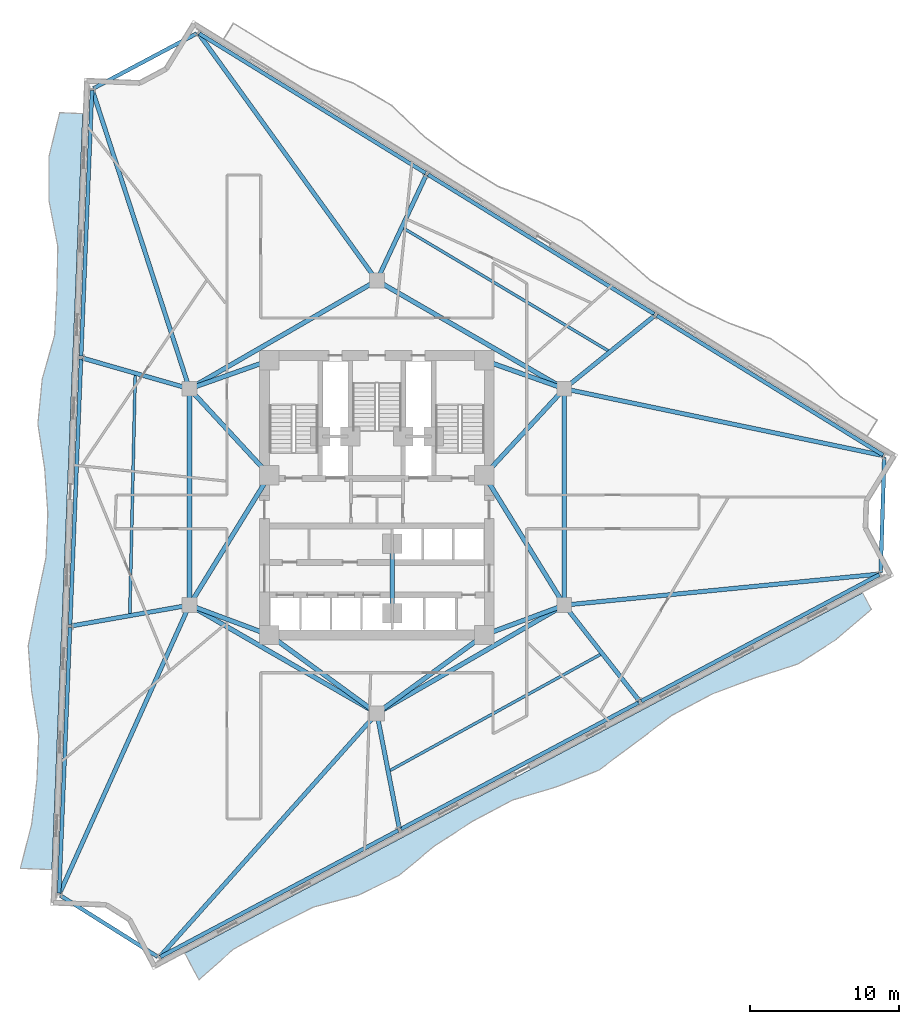
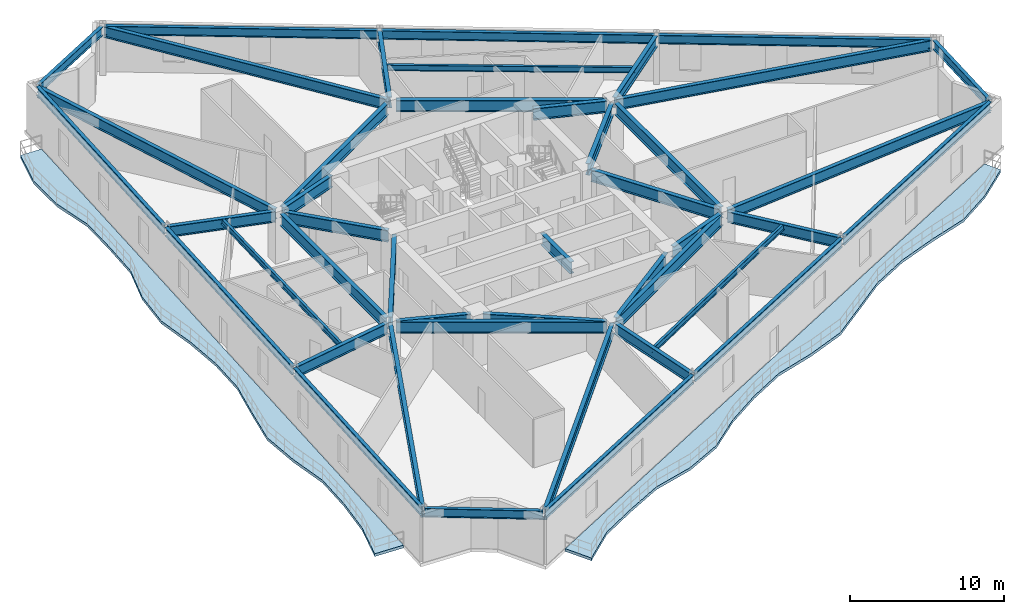
# One storey, part 3 of 12: 44 beams, 2 slabs.
"""IFC4 building model written with IfcOpenShell, lengths in metres."""

import ifcopenshell
import ifcopenshell.guid

model = None  # the IFC model being written
_history = None  # IfcOwnerHistory: only IFC2X3 demands one
_inside = {}  # id of a spatial element -> (the spatial element, [elements in it])
_under = {}  # id of a project, library or spatial element -> (it, [spatial elements below it])
_declared = {}  # id of a project -> (the project, [libraries it declares])
_typed = {}  # id of a type object -> (the type object, [elements of that type])
_made_of = {}  # id of a material, layer set ... -> (it, [elements and type objects made of it])


def new_model(schema):
    """Start an empty IFC model of exactly this schema.

    Asked for "IFC4X3", IfcOpenShell would pick the latest addendum, in which some entities
    have other attributes; the version numbers below select the first issue.
    IFC2X3 requires an IfcOwnerHistory on every rooted entity: one is made here for all.
    """
    global model, _history
    if schema == "IFC4X3":
        model = ifcopenshell.file(schema_version=(4, 3, 0, 0))
    else:
        model = ifcopenshell.file(schema=schema)
    _inside.clear()
    _under.clear()
    _declared.clear()
    _typed.clear()
    _made_of.clear()
    _history = None
    if model.schema == "IFC2X3":
        org = make("IfcOrganization", Name="unknown")
        user = make(
            "IfcPersonAndOrganization",
            ThePerson=make("IfcPerson", FamilyName="unknown"),
            TheOrganization=org,
        )
        app = make(
            "IfcApplication",
            ApplicationDeveloper=org,
            Version="unknown",
            ApplicationFullName="unknown",
            ApplicationIdentifier="unknown",
        )
        _history = make(
            "IfcOwnerHistory",
            OwningUser=user,
            OwningApplication=app,
            ChangeAction="ADDED",
            CreationDate=0,
        )
    return model


def make(cls, **values):
    """One entity of the class cls with the attributes given. An attribute that is None is left unset."""
    return model.create_entity(
        cls, **{name: value for name, value in values.items() if value is not None}
    )


def rooted(cls, **values):
    """An entity with a GlobalId (a new one), such as an element, a storey or a relation."""
    return make(cls, GlobalId=ifcopenshell.guid.new(), OwnerHistory=_history, **values)


def si_unit(unit_type, name, prefix=None):
    """IfcSIUnit, for example si_unit("LENGTHUNIT", "METRE", prefix="MILLI")."""
    return make("IfcSIUnit", UnitType=unit_type, Prefix=prefix, Name=name)


def assignment(units):
    """IfcUnitAssignment: the units of a project."""
    return None if units is None else make("IfcUnitAssignment", Units=units)


def point(xyz):
    """IfcCartesianPoint."""
    return None if xyz is None else make("IfcCartesianPoint", Coordinates=xyz)


def direction(xyz):
    """IfcDirection."""
    return None if xyz is None else make("IfcDirection", DirectionRatios=xyz)


def frame(location, z_axis=None, x_axis=None):
    """IfcAxis2Placement3D, a coordinate frame: its origin and axes. An axis left out is left unset."""
    return make(
        "IfcAxis2Placement3D",
        Location=point(location),
        Axis=direction(z_axis),
        RefDirection=direction(x_axis),
    )


def frame_2d(location, x_axis=None):
    """IfcAxis2Placement2D, a coordinate frame in the plane: its origin and x axis."""
    return make(
        "IfcAxis2Placement2D", Location=point(location), RefDirection=direction(x_axis)
    )


def origin():
    """The frame at (0, 0, 0) with its axes left unset."""
    return frame((0.0, 0.0, 0.0))


def origin_2d():
    """The frame at (0, 0) in the plane with its x axis left unset."""
    return frame_2d((0.0, 0.0))


def place(relative_to, where):
    """IfcLocalPlacement: puts the frame where relative to a parent placement (None: the world)."""
    return make(
        "IfcLocalPlacement", PlacementRelTo=relative_to, RelativePlacement=where
    )


def context(
    kind, dimensions, precision=None, world=None, true_north=None, identifier=None
):
    """IfcGeometricRepresentationContext, for example the 3D "Model" context."""
    return make(
        "IfcGeometricRepresentationContext",
        ContextIdentifier=identifier,
        ContextType=kind,
        CoordinateSpaceDimension=dimensions,
        Precision=precision,
        WorldCoordinateSystem=world,
        TrueNorth=true_north,
    )


def subcontext(parent, identifier, kind, view, scale=None):
    """IfcGeometricRepresentationSubContext, for example "Body" below "Model"."""
    return make(
        "IfcGeometricRepresentationSubContext",
        ContextIdentifier=identifier,
        ContextType=kind,
        ParentContext=parent,
        TargetScale=scale,
        TargetView=view,
    )


def project(units=None, contexts=None):
    """IfcProject with its units and contexts."""
    return rooted(
        "IfcProject",
        Name="project",
        RepresentationContexts=contexts,
        UnitsInContext=assignment(units),
    )


def spatial(cls, under=None, at=None, **own):
    """A site, building, storey or space (cls), placed at a placement, below another one or the project."""
    s = rooted(cls, ObjectPlacement=at, **own)
    if under is not None:
        _under.setdefault(under.id(), (under, []))[1].append(s)
    return s


def polyline(points):
    """IfcPolyline through the points."""
    return make("IfcPolyline", Points=[point(p) for p in points])


def profile(cls, at=None, kind="AREA", **sizes):
    """A parametric profile (cls). Its sizes go by their IFC names, for example OverallWidth=200.0."""
    return make(cls, ProfileType=kind, Position=at, **sizes)


def i_section(**sizes):
    """IfcIShapeProfileDef."""
    return profile("IfcIShapeProfileDef", **sizes)


def outline(outer, holes=None, kind="AREA"):
    """IfcArbitraryClosedProfileDef: a profile drawn as a closed curve; with holes, ...WithVoids."""
    if holes is None:
        return make("IfcArbitraryClosedProfileDef", ProfileType=kind, OuterCurve=outer)
    return make(
        "IfcArbitraryProfileDefWithVoids",
        ProfileType=kind,
        OuterCurve=outer,
        InnerCurves=holes,
    )


def extrude(swept, where, along, depth):
    """IfcExtrudedAreaSolid: the profile swept, set in the frame where, extruded along a direction by depth."""
    return make(
        "IfcExtrudedAreaSolid",
        SweptArea=swept,
        Position=where,
        ExtrudedDirection=direction(along),
        Depth=depth,
    )


def shape(context_of_items, identifier, shape_type, items):
    """IfcShapeRepresentation: the items that make up one representation, for example the "Body"."""
    return make(
        "IfcShapeRepresentation",
        ContextOfItems=context_of_items,
        RepresentationIdentifier=identifier,
        RepresentationType=shape_type,
        Items=items,
    )


def material(Name=None, Category=None):
    """IfcMaterial."""
    return make("IfcMaterial", Name=Name, Category=Category)


def layer(
    of_material, thickness, ventilated=None, Name=None, Category=None, Priority=None
):
    """IfcMaterialLayer: one layer of a wall or slab, of a material (None: an air gap)."""
    return make(
        "IfcMaterialLayer",
        Material=of_material,
        LayerThickness=thickness,
        IsVentilated=ventilated,
        Name=Name,
        Category=Category,
        Priority=Priority,
    )


def layer_set(layers, Name=None):
    """IfcMaterialLayerSet."""
    return make("IfcMaterialLayerSet", MaterialLayers=layers, LayerSetName=Name)


def material_profile(
    of_material, cross_section, Name=None, Category=None, Priority=None
):
    """IfcMaterialProfile: a cross section and its material."""
    return make(
        "IfcMaterialProfile",
        Name=Name,
        Material=of_material,
        Profile=cross_section,
        Priority=Priority,
        Category=Category,
    )


def profile_set(profiles, Name=None, composite=None):
    """IfcMaterialProfileSet."""
    return make(
        "IfcMaterialProfileSet",
        Name=Name,
        MaterialProfiles=profiles,
        CompositeProfile=composite,
    )


def made_of(thing, what):
    """Note that an element or type object is made of a material, layer set ...; save() writes the relation."""
    if what is not None:
        _made_of.setdefault(what.id(), (what, []))[1].append(thing)
    return thing


def type_object(cls, material=None, **own):
    """A type object (cls), such as IfcWallType, which elements share."""
    return made_of(rooted(cls, **own), material)


def element(
    cls,
    number,
    at=None,
    inside=None,
    cuts=None,
    type_object=None,
    material=None,
    context=None,
    identifier="Body",
    shape_type=None,
    held_by="IfcProductDefinitionShape",
    body=None,
    shapes=None,
    **own,
):
    """One element of the class cls, such as IfcWall. Its Tag is "e" and its number.

    at: its placement. inside: the storey or other place that contains it. cuts: it is an
    opening in that element (IfcRelVoidsElement). A single representation is given by context,
    identifier, shape_type and body (its items); several are given by shapes. held_by: the class
    of the entity that holds the representations. save() writes the other relations.
    """
    e = rooted(cls, Tag="e%d" % number, ObjectPlacement=at, **own)
    if body is not None:
        shapes = [shape(context, identifier, shape_type, body)]
    if shapes is not None:
        e.Representation = make(held_by, Representations=shapes)
    if inside is not None:
        _inside.setdefault(inside.id(), (inside, []))[1].append(e)
    if cuts is not None:
        rooted(
            "IfcRelVoidsElement", RelatingBuildingElement=cuts, RelatedOpeningElement=e
        )
    if type_object is not None:
        _typed.setdefault(type_object.id(), (type_object, []))[1].append(e)
    return made_of(e, material)


def aggregate(whole, parts):
    """IfcRelAggregates: a whole, such as a stair, and the parts it consists of."""
    return rooted("IfcRelAggregates", RelatingObject=whole, RelatedObjects=parts)


def save(model, path):
    """Write the relations noted so far, then the file.

    IfcRelAggregates (storeys below a building ...), IfcRelContainedInSpatialStructure (elements
    in a storey), IfcRelDefinesByType, IfcRelAssociatesMaterial and IfcRelDeclares: one each for
    every whole, place, type object, material and project.
    """
    for whole, parts in _under.values():
        aggregate(whole, parts)
    for where, things in _inside.values():
        rooted(
            "IfcRelContainedInSpatialStructure",
            RelatedElements=things,
            RelatingStructure=where,
        )
    for kind, things in _typed.values():
        rooted("IfcRelDefinesByType", RelatedObjects=things, RelatingType=kind)
    for what, things in _made_of.values():
        rooted("IfcRelAssociatesMaterial", RelatedObjects=things, RelatingMaterial=what)
    for by, libraries in _declared.values():
        rooted("IfcRelDeclares", RelatingContext=by, RelatedDefinitions=libraries)
    model.write(path)


model = new_model("IFC4")

# Units and contexts
model_context = context("Model", 3, precision=1e-05, world=origin(), true_north=direction((0.0, 1.0)))
body_context = subcontext(model_context, "Body", "Model", "MODEL_VIEW")
ifc_project = project(units=[si_unit("LENGTHUNIT", "METRE"), si_unit("AREAUNIT", "SQUARE_METRE"), si_unit("VOLUMEUNIT", "CUBIC_METRE"), si_unit("PLANEANGLEUNIT", "RADIAN"), si_unit("MASSUNIT", "GRAM", prefix="KILO")], contexts=[model_context])

# Site, building, storey
site_placement = place(None, origin())
site = spatial("IfcSite", under=ifc_project, at=site_placement, CompositionType="ELEMENT")
building_placement = place(site_placement, origin())
building = spatial("IfcBuilding", under=site, at=building_placement, Name="Apsidion Concourse Tower", CompositionType="ELEMENT")
storey_placement = place(building_placement, frame((0.0, 0.0, 173.699951171875)))
storey = spatial("IfcBuildingStorey", under=building, at=storey_placement, Name="L40", CompositionType="ELEMENT", Elevation=173.699951171875)

# Beams
ifc_material_1 = material(Name="Structural steel ASTM A992 Grade 50", Category="steel")
ifc_material_profile_1 = material_profile(ifc_material_1, i_section(OverallWidth=0.19091796875, OverallDepth=0.45703125, WebThickness=0.009033203125, FlangeThickness=0.014404296875, at=origin_2d()), Name="W18X50")
ifc_profile_set_1 = profile_set([ifc_material_profile_1], Name="Structural steel ASTM A992 Grade 50")
beam_type_1 = type_object("IfcBeamType", Name="BM-FL-W18", PredefinedType="BEAM", material=ifc_profile_set_1)
beam_1_placement = place(storey_placement, frame((-16.192138671875, 8.29248046875, 3.62158203125), z_axis=(-0.022697860677, -0.999742370374, 0.0), x_axis=(0.999742370374, -0.022697860677, 0.0)))
element("IfcBeam", 1, at=beam_1_placement, inside=storey, type_object=beam_type_1, Name="L40 Secondary Floor Beam SEC-F1", PredefinedType="BEAM", context=body_context, shape_type="SweptSolid", body=[
    extrude(i_section(OverallWidth=0.19091796875, OverallDepth=0.45703125, WebThickness=0.009033203125, FlangeThickness=0.014404296875, at=origin_2d()), origin(), (0.0, 0.0, 1.0), 16.25244140625),
])
beam_2_placement = place(storey_placement, frame((0.760009765625, -18.40087890625, 3.62158203125), z_axis=(0.87560616621, 0.483025715355, 0.0), x_axis=(-0.483025715355, 0.87560616621, 0.0)))
element("IfcBeam", 2, at=beam_2_placement, inside=storey, type_object=beam_type_1, Name="L40 Secondary Floor Beam SEC-F2", PredefinedType="BEAM", context=body_context, shape_type="SweptSolid", body=[
    extrude(i_section(OverallWidth=0.19091796875, OverallDepth=0.45703125, WebThickness=0.009033203125, FlangeThickness=0.014404296875, at=origin_2d()), origin(), (0.0, 0.0, 1.0), 16.376708984375),
])
beam_3_placement = place(storey_placement, frame((15.619384765625, 9.7265625, 3.62158203125), z_axis=(-0.85795243344, 0.513729132865, 0.0), x_axis=(-0.513729132865, -0.85795243344, 0.0)))
element("IfcBeam", 3, at=beam_3_placement, inside=storey, type_object=beam_type_1, Name="L40 Secondary Floor Beam SEC-F3", PredefinedType="BEAM", context=body_context, shape_type="SweptSolid", body=[
    extrude(i_section(OverallWidth=0.19091796875, OverallDepth=0.45703125, WebThickness=0.009033203125, FlangeThickness=0.014404296875, at=origin_2d()), origin(), (0.0, 0.0, 1.0), 16.25537109375),
])
ifc_material_profile_2 = material_profile(ifc_material_1, i_section(OverallWidth=0.2919921875, OverallDepth=0.85888671875, WebThickness=0.01708984375, FlangeThickness=0.031005859375, at=origin_2d()), Name="W33X169")
ifc_profile_set_2 = profile_set([ifc_material_profile_2], Name="Structural steel ASTM A992 Grade 50")
beam_type_2 = type_object("IfcBeamType", Name="BM-G-W33", PredefinedType="USERDEFINED", material=ifc_profile_set_2)
beam_4_placement = place(storey_placement, frame((-12.6279296875, 7.459228515625, 3.420654296875), z_axis=(-0.309075984528, 0.95103734721, 0.0), x_axis=(-0.95103734721, -0.309075984528, 0.0)))
element("IfcBeam", 4, at=beam_4_placement, inside=storey, type_object=beam_type_2, Name="L40 Radial Floor Girder RAD-01", ObjectType="GIRDER", PredefinedType="USERDEFINED", context=body_context, shape_type="SweptSolid", body=[
    extrude(i_section(OverallWidth=0.2919921875, OverallDepth=0.85888671875, WebThickness=0.01708984375, FlangeThickness=0.031005859375, at=origin_2d()), origin(), (0.0, 0.0, 1.0), 20.794921875),
])
beam_5_placement = place(storey_placement, frame((-12.771484375, 7.310791015625, 3.420654296875), z_axis=(-0.961194838859, 0.275870407531, 0.0), x_axis=(-0.275870407531, -0.961194838859, 0.0)))
element("IfcBeam", 5, at=beam_5_placement, inside=storey, type_object=beam_type_2, Name="L40 Radial Floor Girder RAD-02", ObjectType="GIRDER", PredefinedType="USERDEFINED", context=body_context, shape_type="SweptSolid", body=[
    extrude(i_section(OverallWidth=0.2919921875, OverallDepth=0.85888671875, WebThickness=0.01708984375, FlangeThickness=0.031005859375, at=origin_2d()), origin(), (0.0, 0.0, 1.0), 7.2373046875),
])
beam_6_placement = place(storey_placement, frame((-12.776611328125, -7.2880859375, 3.420654296875), z_axis=(-0.9848005578, -0.173688978798, 0.0), x_axis=(0.173688978798, -0.9848005578, 0.0)))
element("IfcBeam", 6, at=beam_6_placement, inside=storey, type_object=beam_type_2, Name="L40 Radial Floor Girder RAD-03", ObjectType="GIRDER", PredefinedType="USERDEFINED", context=body_context, shape_type="SweptSolid", body=[
    extrude(i_section(OverallWidth=0.2919921875, OverallDepth=0.85888671875, WebThickness=0.01708984375, FlangeThickness=0.031005859375, at=origin_2d()), origin(), (0.0, 0.0, 1.0), 7.805419921875),
])
beam_7_placement = place(storey_placement, frame((-12.650390625, -7.45068359375, 3.420654296875), z_axis=(-0.410615485001, -0.911808600243, 0.0), x_axis=(0.911808600243, -0.410615485001, 0.0)))
element("IfcBeam", 7, at=beam_7_placement, inside=storey, type_object=beam_type_2, Name="L40 Radial Floor Girder RAD-04", ObjectType="GIRDER", PredefinedType="USERDEFINED", context=body_context, shape_type="SweptSolid", body=[
    extrude(i_section(OverallWidth=0.2919921875, OverallDepth=0.85888671875, WebThickness=0.01708984375, FlangeThickness=0.031005859375, at=origin_2d()), origin(), (0.0, 0.0, 1.0), 20.964599609375),
])
beam_8_placement = place(storey_placement, frame((-0.146484375, -14.664306640625, 3.420654296875), z_axis=(-0.665534428073, -0.746367151642, 0.0), x_axis=(0.746367151642, -0.665534428073, 0.0)))
element("IfcBeam", 8, at=beam_8_placement, inside=storey, type_object=beam_type_2, Name="L40 Radial Floor Girder RAD-05", ObjectType="GIRDER", PredefinedType="USERDEFINED", context=body_context, shape_type="SweptSolid", body=[
    extrude(i_section(OverallWidth=0.2919921875, OverallDepth=0.85888671875, WebThickness=0.01708984375, FlangeThickness=0.031005859375, at=origin_2d()), origin(), (0.0, 0.0, 1.0), 21.616455078125),
])
beam_9_placement = place(storey_placement, frame((0.0419921875, -14.7158203125, 3.420654296875), z_axis=(0.191214845848, -0.981548207032, 0.0), x_axis=(0.981548207032, 0.191214845848, 0.0)))
element("IfcBeam", 9, at=beam_9_placement, inside=storey, type_object=beam_type_2, Name="L40 Radial Floor Girder RAD-06", ObjectType="GIRDER", PredefinedType="USERDEFINED", context=body_context, shape_type="SweptSolid", body=[
    extrude(i_section(OverallWidth=0.2919921875, OverallDepth=0.85888671875, WebThickness=0.01708984375, FlangeThickness=0.031005859375, at=origin_2d()), origin(), (0.0, 0.0, 1.0), 7.62890625),
])
beam_10_placement = place(storey_placement, frame((12.69580078125, -7.423095703125, 3.420654296875), z_axis=(0.616838796002, -0.787089511902, 0.0), x_axis=(0.787089511902, 0.616838796002, 0.0)))
element("IfcBeam", 10, at=beam_10_placement, inside=storey, type_object=beam_type_2, Name="L40 Radial Floor Girder RAD-07", ObjectType="GIRDER", PredefinedType="USERDEFINED", context=body_context, shape_type="SweptSolid", body=[
    extrude(i_section(OverallWidth=0.2919921875, OverallDepth=0.85888671875, WebThickness=0.01708984375, FlangeThickness=0.031005859375, at=origin_2d()), origin(), (0.0, 0.0, 1.0), 7.914306640625),
])
beam_11_placement = place(storey_placement, frame((12.77880859375, -7.228515625, 3.420654296875), z_axis=(0.995176296258, 0.098102698054, 0.0), x_axis=(-0.098102698054, 0.995176296258, 0.0)))
element("IfcBeam", 11, at=beam_11_placement, inside=storey, type_object=beam_type_2, Name="L40 Radial Floor Girder RAD-08", ObjectType="GIRDER", PredefinedType="USERDEFINED", context=body_context, shape_type="SweptSolid", body=[
    extrude(i_section(OverallWidth=0.2919921875, OverallDepth=0.85888671875, WebThickness=0.01708984375, FlangeThickness=0.031005859375, at=origin_2d()), origin(), (0.0, 0.0, 1.0), 20.981689453125),
])
beam_12_placement = place(storey_placement, frame((12.775390625, 7.204833984375, 3.420654296875), z_axis=(0.978712115689, -0.20523789758, 0.0), x_axis=(0.20523789758, 0.978712115689, 0.0)))
element("IfcBeam", 12, at=beam_12_placement, inside=storey, type_object=beam_type_2, Name="L40 Radial Floor Girder RAD-09", ObjectType="GIRDER", PredefinedType="USERDEFINED", context=body_context, shape_type="SweptSolid", body=[
    extrude(i_section(OverallWidth=0.2919921875, OverallDepth=0.85888671875, WebThickness=0.01708984375, FlangeThickness=0.031005859375, at=origin_2d()), origin(), (0.0, 0.0, 1.0), 21.597412109375),
])
beam_13_placement = place(storey_placement, frame((12.73095703125, 7.388427734375, 3.420654296875), z_axis=(0.777235083984, 0.629210317958, 0.0), x_axis=(-0.629210317958, 0.777235083984, 0.0)))
element("IfcBeam", 13, at=beam_13_placement, inside=storey, type_object=beam_type_2, Name="L40 Radial Floor Girder RAD-10", ObjectType="GIRDER", PredefinedType="USERDEFINED", context=body_context, shape_type="SweptSolid", body=[
    extrude(i_section(OverallWidth=0.2919921875, OverallDepth=0.85888671875, WebThickness=0.01708984375, FlangeThickness=0.031005859375, at=origin_2d()), origin(), (0.0, 0.0, 1.0), 7.55224609375),
])
beam_14_placement = place(storey_placement, frame((0.09326171875, 14.69921875, 3.420654296875), z_axis=(0.423634804892, 0.905833070761, 0.0), x_axis=(-0.905833070761, 0.423634804892, 0.0)))
element("IfcBeam", 14, at=beam_14_placement, inside=storey, type_object=beam_type_2, Name="L40 Radial Floor Girder RAD-11", ObjectType="GIRDER", PredefinedType="USERDEFINED", context=body_context, shape_type="SweptSolid", body=[
    extrude(i_section(OverallWidth=0.2919921875, OverallDepth=0.85888671875, WebThickness=0.01708984375, FlangeThickness=0.031005859375, at=origin_2d()), origin(), (0.0, 0.0, 1.0), 7.578857421875),
])
beam_15_placement = place(storey_placement, frame((-0.12890625, 14.678466796875, 3.420654296875), z_axis=(-0.58524513155, 0.810856421321, 0.0), x_axis=(-0.810856421321, -0.58524513155, 0.0)))
element("IfcBeam", 15, at=beam_15_placement, inside=storey, type_object=beam_type_2, Name="L40 Radial Floor Girder RAD-12", ObjectType="GIRDER", PredefinedType="USERDEFINED", context=body_context, shape_type="SweptSolid", body=[
    extrude(i_section(OverallWidth=0.2919921875, OverallDepth=0.85888671875, WebThickness=0.01708984375, FlangeThickness=0.031005859375, at=origin_2d()), origin(), (0.0, 0.0, 1.0), 20.16015625),
])
ifc_material_profile_3 = material_profile(ifc_material_1, i_section(OverallWidth=0.31005859375, OverallDepth=0.931884765625, WebThickness=0.02099609375, FlangeThickness=0.034423828125, at=origin_2d()), Name="W36X210")
ifc_profile_set_3 = profile_set([ifc_material_profile_3], Name="Structural steel ASTM A992 Grade 50")
beam_type_3 = type_object("IfcBeamType", Name="BM-G-W36", PredefinedType="USERDEFINED", material=ifc_profile_set_3)
beam_16_placement = place(storey_placement, frame((-12.185302734375, -7.389892578125, 3.384033203125), z_axis=(0.936913021145, -0.349562570664, 0.0), x_axis=(0.349562570664, 0.936913021145, 0.0)))
element("IfcBeam", 16, at=beam_16_placement, inside=storey, type_object=beam_type_3, Name="L40 Core Coupling Girder IC1-SC1", ObjectType="GIRDER", PredefinedType="USERDEFINED", context=body_context, shape_type="SweptSolid", body=[
    extrude(i_section(OverallWidth=0.31005859375, OverallDepth=0.931884765625, WebThickness=0.02099609375, FlangeThickness=0.034423828125, at=origin_2d()), origin(), (0.0, 0.0, 1.0), 4.921142578125),
])
beam_17_placement = place(storey_placement, frame((-12.35009765625, -6.909423828125, 3.384033203125), z_axis=(0.524524009763, 0.851395656074, 0.0), x_axis=(-0.851395656074, 0.524524009763, 0.0)))
element("IfcBeam", 17, at=beam_17_placement, inside=storey, type_object=beam_type_3, Name="L40 Core Coupling Girder IC1-SC6", ObjectType="GIRDER", PredefinedType="USERDEFINED", context=body_context, shape_type="SweptSolid", body=[
    extrude(i_section(OverallWidth=0.31005859375, OverallDepth=0.931884765625, WebThickness=0.02099609375, FlangeThickness=0.034423828125, at=origin_2d()), origin(), (0.0, 0.0, 1.0), 9.41845703125),
])
beam_18_placement = place(storey_placement, frame((12.185302734375, -7.389892578125, 3.384033203125), z_axis=(-0.936913021145, -0.349562570664, 0.0), x_axis=(0.349562570664, -0.936913021145, 0.0)))
element("IfcBeam", 18, at=beam_18_placement, inside=storey, type_object=beam_type_3, Name="L40 Core Coupling Girder IC2-SC2", ObjectType="GIRDER", PredefinedType="USERDEFINED", context=body_context, shape_type="SweptSolid", body=[
    extrude(i_section(OverallWidth=0.31005859375, OverallDepth=0.931884765625, WebThickness=0.02099609375, FlangeThickness=0.034423828125, at=origin_2d()), origin(), (0.0, 0.0, 1.0), 4.921142578125),
])
beam_19_placement = place(storey_placement, frame((12.35009765625, -6.909423828125, 3.384033203125), z_axis=(-0.524524009763, 0.851395656074, 0.0), x_axis=(-0.851395656074, -0.524524009763, 0.0)))
element("IfcBeam", 19, at=beam_19_placement, inside=storey, type_object=beam_type_3, Name="L40 Core Coupling Girder IC2-SC3", ObjectType="GIRDER", PredefinedType="USERDEFINED", context=body_context, shape_type="SweptSolid", body=[
    extrude(i_section(OverallWidth=0.31005859375, OverallDepth=0.931884765625, WebThickness=0.02099609375, FlangeThickness=0.034423828125, at=origin_2d()), origin(), (0.0, 0.0, 1.0), 9.41845703125),
])
beam_20_placement = place(storey_placement, frame((12.28857421875, 6.956298828125, 3.384033203125), z_axis=(-0.678712876106, -0.73440372535, 0.0), x_axis=(0.73440372535, -0.678712876106, 0.0)))
element("IfcBeam", 20, at=beam_20_placement, inside=storey, type_object=beam_type_3, Name="L40 Core Coupling Girder IC3-SC3", ObjectType="GIRDER", PredefinedType="USERDEFINED", context=body_context, shape_type="SweptSolid", body=[
    extrude(i_section(OverallWidth=0.31005859375, OverallDepth=0.931884765625, WebThickness=0.02099609375, FlangeThickness=0.034423828125, at=origin_2d()), origin(), (0.0, 0.0, 1.0), 7.097412109375),
])
beam_21_placement = place(storey_placement, frame((12.18310546875, 7.383544921875, 3.384033203125), z_axis=(-0.942533844539, 0.334110688094, 0.0), x_axis=(-0.334110688094, -0.942533844539, 0.0)))
element("IfcBeam", 21, at=beam_21_placement, inside=storey, type_object=beam_type_3, Name="L40 Core Coupling Girder IC3-SC4", ObjectType="GIRDER", PredefinedType="USERDEFINED", context=body_context, shape_type="SweptSolid", body=[
    extrude(i_section(OverallWidth=0.31005859375, OverallDepth=0.931884765625, WebThickness=0.02099609375, FlangeThickness=0.034423828125, at=origin_2d()), origin(), (0.0, 0.0, 1.0), 4.886962890625),
])
beam_22_placement = place(storey_placement, frame((-12.28857421875, 6.956298828125, 3.384033203125), z_axis=(0.678712876106, -0.73440372535, 0.0), x_axis=(0.73440372535, 0.678712876106, 0.0)))
element("IfcBeam", 22, at=beam_22_placement, inside=storey, type_object=beam_type_3, Name="L40 Core Coupling Girder IC5-SC6", ObjectType="GIRDER", PredefinedType="USERDEFINED", context=body_context, shape_type="SweptSolid", body=[
    extrude(i_section(OverallWidth=0.31005859375, OverallDepth=0.931884765625, WebThickness=0.02099609375, FlangeThickness=0.034423828125, at=origin_2d()), origin(), (0.0, 0.0, 1.0), 7.097412109375),
])
beam_23_placement = place(storey_placement, frame((-12.18310546875, 7.383544921875, 3.384033203125), z_axis=(0.942533844539, 0.334110688094, 0.0), x_axis=(-0.334110688094, 0.942533844539, 0.0)))
element("IfcBeam", 23, at=beam_23_placement, inside=storey, type_object=beam_type_3, Name="L40 Core Coupling Girder IC5-SC5", ObjectType="GIRDER", PredefinedType="USERDEFINED", context=body_context, shape_type="SweptSolid", body=[
    extrude(i_section(OverallWidth=0.31005859375, OverallDepth=0.931884765625, WebThickness=0.02099609375, FlangeThickness=0.034423828125, at=origin_2d()), origin(), (0.0, 0.0, 1.0), 4.886962890625),
])
for number, where, z_axis, x_axis, name in (
    (24, (-0.3232421875, -14.264404296875, 3.384033203125), (-0.807993498909, 0.589191399905, 0.0), (-0.589191399905, -0.807993498909, 0.0), "L40 Core Coupling Girder IC6-SC1"),
    (25, (0.3232421875, -14.264404296875, 3.384033203125), (0.807993498909, 0.589191399905, 0.0), (-0.589191399905, 0.807993498909, 0.0), "L40 Core Coupling Girder IC6-SC2"),
):
    element("IfcBeam", number, at=place(storey_placement, frame(where, z_axis=z_axis, x_axis=x_axis)), inside=storey, type_object=beam_type_3, Name=name, ObjectType="GIRDER", PredefinedType="USERDEFINED", context=body_context, shape_type="SweptSolid", body=[
        extrude(i_section(OverallWidth=0.31005859375, OverallDepth=0.931884765625, WebThickness=0.02099609375, FlangeThickness=0.034423828125, at=origin_2d()), origin(), (0.0, 0.0, 1.0), 8.11083984375),
    ])
beam_24_placement = place(storey_placement, frame((-12.56005859375, -6.85009765625, 3.384033203125), z_axis=(0.0, 1.0, 0.0), x_axis=(-1.0, 0.0, 0.0)))
element("IfcBeam", 26, at=beam_24_placement, inside=storey, type_object=beam_type_3, Name="L40 Core Coupling Girder IC1-IC5", ObjectType="GIRDER", PredefinedType="USERDEFINED", context=body_context, shape_type="SweptSolid", body=[
    extrude(i_section(OverallWidth=0.31005859375, OverallDepth=0.931884765625, WebThickness=0.02099609375, FlangeThickness=0.034423828125, at=origin_2d()), origin(), (0.0, 0.0, 1.0), 13.7001953125),
])
for number, where, z_axis, x_axis, name in (
    (27, (-12.213623046875, 7.449951171875, 3.384033203125), (0.866070471464, 0.499921932364, 0.0), (-0.499921932364, 0.866070471464, 0.0), "L40 Core Coupling Girder IC5-IC4"),
    (28, (0.346435546875, 14.300048828125, 3.384033203125), (0.866070471464, -0.499921932364, 0.0), (0.499921932364, 0.866070471464, 0.0), "L40 Core Coupling Girder IC4-IC3"),
):
    element("IfcBeam", number, at=place(storey_placement, frame(where, z_axis=z_axis, x_axis=x_axis)), inside=storey, type_object=beam_type_3, Name=name, ObjectType="GIRDER", PredefinedType="USERDEFINED", context=body_context, shape_type="SweptSolid", body=[
        extrude(i_section(OverallWidth=0.31005859375, OverallDepth=0.931884765625, WebThickness=0.02099609375, FlangeThickness=0.034423828125, at=origin_2d()), origin(), (0.0, 0.0, 1.0), 13.702392578125),
    ])
beam_25_placement = place(storey_placement, frame((12.56005859375, 6.85009765625, 3.384033203125), z_axis=(0.0, -1.0, 0.0), x_axis=(1.0, 0.0, 0.0)))
element("IfcBeam", 29, at=beam_25_placement, inside=storey, type_object=beam_type_3, Name="L40 Core Coupling Girder IC3-IC2", ObjectType="GIRDER", PredefinedType="USERDEFINED", context=body_context, shape_type="SweptSolid", body=[
    extrude(i_section(OverallWidth=0.31005859375, OverallDepth=0.931884765625, WebThickness=0.02099609375, FlangeThickness=0.034423828125, at=origin_2d()), origin(), (0.0, 0.0, 1.0), 13.7001953125),
])
for number, where, z_axis, x_axis, name in (
    (30, (12.213623046875, -7.449951171875, 3.384033203125), (-0.866070471464, -0.499921932364, 0.0), (0.499921932364, -0.866070471464, 0.0), "L40 Core Coupling Girder IC2-IC6"),
    (31, (-0.346435546875, -14.300048828125, 3.384033203125), (-0.866070471464, 0.499921932364, 0.0), (-0.499921932364, -0.866070471464, 0.0), "L40 Core Coupling Girder IC6-IC1"),
):
    element("IfcBeam", number, at=place(storey_placement, frame(where, z_axis=z_axis, x_axis=x_axis)), inside=storey, type_object=beam_type_3, Name=name, ObjectType="GIRDER", PredefinedType="USERDEFINED", context=body_context, shape_type="SweptSolid", body=[
        extrude(i_section(OverallWidth=0.31005859375, OverallDepth=0.931884765625, WebThickness=0.02099609375, FlangeThickness=0.034423828125, at=origin_2d()), origin(), (0.0, 0.0, 1.0), 13.702392578125),
    ])
beam_26_placement = place(storey_placement, frame((1.02490234375, -3.550048828125, 3.384033203125), z_axis=(0.0, -1.0, 0.0), x_axis=(1.0, 0.0, 0.0)))
element("IfcBeam", 32, at=beam_26_placement, inside=storey, type_object=beam_type_3, Name="L40 Core Coupling Girder CC5-CC6", ObjectType="GIRDER", PredefinedType="USERDEFINED", context=body_context, shape_type="SweptSolid", body=[
    extrude(i_section(OverallWidth=0.31005859375, OverallDepth=0.931884765625, WebThickness=0.02099609375, FlangeThickness=0.034423828125, at=origin_2d()), origin(), (0.0, 0.0, 1.0), 3.849853515625),
])
ifc_material_profile_4 = material_profile(ifc_material_1, i_section(OverallWidth=0.256103515625, OverallDepth=0.693115234375, WebThickness=0.014404296875, FlangeThickness=0.023681640625, at=origin_2d()), Name="W27X114")
ifc_profile_set_4 = profile_set([ifc_material_profile_4], Name="Structural steel ASTM A992 Grade 50")
beam_type_4 = type_object("IfcBeamType", Name="BM-SP-W27", PredefinedType="SPANDREL", material=ifc_profile_set_4)
beam_27_placement = place(storey_placement, frame((-19.090087890625, 27.2314453125, 3.503662109375), z_axis=(-0.040983440282, -0.999159825865, 0.0), x_axis=(0.999159825865, -0.040983440282, 0.0)))
element("IfcBeam", 33, at=beam_27_placement, inside=storey, type_object=beam_type_4, Name="L40 Perimeter Spandrel Girder SP-01", PredefinedType="SPANDREL", context=body_context, shape_type="SweptSolid", body=[
    extrude(i_section(OverallWidth=0.256103515625, OverallDepth=0.693115234375, WebThickness=0.014404296875, FlangeThickness=0.023681640625, at=origin_2d()), origin(), (0.0, 0.0, 1.0), 17.8115234375),
])
for number, where, z_axis, x_axis, name in (
    (34, (-19.828125, 9.235107421875, 3.503662109375), (-0.040970317559, -0.999160364045, 0.0), (0.999160364045, -0.040970317559, 0.0), "L40 Perimeter Spandrel Girder SP-02"),
    (35, (-20.566162109375, -8.76123046875, 3.503662109375), (-0.040970317559, -0.999160364045, 0.0), (0.999160364045, -0.040970317559, 0.0), "L40 Perimeter Spandrel Girder SP-03"),
):
    element("IfcBeam", number, at=place(storey_placement, frame(where, z_axis=z_axis, x_axis=x_axis)), inside=storey, type_object=beam_type_4, Name=name, PredefinedType="SPANDREL", context=body_context, shape_type="SweptSolid", body=[
        extrude(i_section(OverallWidth=0.256103515625, OverallDepth=0.693115234375, WebThickness=0.014404296875, FlangeThickness=0.023681640625, at=origin_2d()), origin(), (0.0, 0.0, 1.0), 17.811279296875),
    ])
beam_28_placement = place(storey_placement, frame((-21.21533203125, -26.710693359375, 3.503662109375), z_axis=(0.846430391353, -0.532499382718, 0.0), x_axis=(0.532499382718, 0.846430391353, 0.0)))
element("IfcBeam", 36, at=beam_28_placement, inside=storey, type_object=beam_type_4, Name="L40 Perimeter Spandrel Girder SP-04", PredefinedType="SPANDREL", context=body_context, shape_type="SweptSolid", body=[
    extrude(i_section(OverallWidth=0.256103515625, OverallDepth=0.693115234375, WebThickness=0.014404296875, FlangeThickness=0.023681640625, at=origin_2d()), origin(), (0.0, 0.0, 1.0), 7.71630859375),
])
beam_29_placement = place(storey_placement, frame((-14.51123046875, -30.825927734375, 3.503662109375), z_axis=(0.882942871348, 0.46948044255, 0.0), x_axis=(-0.46948044255, 0.882942871348, 0.0)))
element("IfcBeam", 37, at=beam_29_placement, inside=storey, type_object=beam_type_4, Name="L40 Perimeter Spandrel Girder SP-05", PredefinedType="SPANDREL", context=body_context, shape_type="SweptSolid", body=[
    extrude(i_section(OverallWidth=0.256103515625, OverallDepth=0.693115234375, WebThickness=0.014404296875, FlangeThickness=0.023681640625, at=origin_2d()), origin(), (0.0, 0.0, 1.0), 18.05615234375),
])
for number, where, z_axis, x_axis, name in (
    (38, (1.608154296875, -22.255126953125, 3.503662109375), (0.88294585151, 0.469474837771, 0.0), (-0.469474837771, 0.88294585151, 0.0), "L40 Perimeter Spandrel Girder SP-06"),
    (39, (17.7275390625, -13.68408203125, 3.503662109375), (0.882951456204, 0.469464296819, 0.0), (-0.469464296819, 0.882951456204, 0.0), "L40 Perimeter Spandrel Girder SP-07"),
):
    element("IfcBeam", number, at=place(storey_placement, frame(where, z_axis=z_axis, x_axis=x_axis)), inside=storey, type_object=beam_type_4, Name=name, PredefinedType="SPANDREL", context=body_context, shape_type="SweptSolid", body=[
        extrude(i_section(OverallWidth=0.256103515625, OverallDepth=0.693115234375, WebThickness=0.014404296875, FlangeThickness=0.023681640625, at=origin_2d()), origin(), (0.0, 0.0, 1.0), 18.056396484375),
    ])
beam_30_placement = place(storey_placement, frame((33.761962890625, -5.060302734375, 3.503662109375), z_axis=(0.031862000175, 0.999492277581, 0.0), x_axis=(-0.999492277581, 0.031862000175, 0.0)))
element("IfcBeam", 40, at=beam_30_placement, inside=storey, type_object=beam_type_4, Name="L40 Perimeter Spandrel Girder SP-08", PredefinedType="SPANDREL", context=body_context, shape_type="SweptSolid", body=[
    extrude(i_section(OverallWidth=0.256103515625, OverallDepth=0.693115234375, WebThickness=0.014404296875, FlangeThickness=0.023681640625, at=origin_2d()), origin(), (0.0, 0.0, 1.0), 7.716064453125),
])
for number, where, z_axis, x_axis, name in (
    (41, (33.92578125, 2.80419921875, 3.503662109375), (-0.851253326815, 0.524754965281, 0.0), (-0.524754965281, -0.851253326815, 0.0), "L40 Perimeter Spandrel Girder SP-09"),
    (42, (18.593505859375, 12.255859375, 3.503662109375), (-0.851253326815, 0.524754965281, 0.0), (-0.524754965281, -0.851253326815, 0.0), "L40 Perimeter Spandrel Girder SP-10"),
    (43, (3.26123046875, 21.70751953125, 3.503662109375), (-0.851253326815, 0.524754965281, 0.0), (-0.524754965281, -0.851253326815, 0.0), "L40 Perimeter Spandrel Girder SP-11"),
):
    element("IfcBeam", number, at=place(storey_placement, frame(where, z_axis=z_axis, x_axis=x_axis)), inside=storey, type_object=beam_type_4, Name=name, PredefinedType="SPANDREL", context=body_context, shape_type="SweptSolid", body=[
        extrude(i_section(OverallWidth=0.256103515625, OverallDepth=0.693115234375, WebThickness=0.014404296875, FlangeThickness=0.023681640625, at=origin_2d()), origin(), (0.0, 0.0, 1.0), 17.8115234375),
    ])
beam_31_placement = place(storey_placement, frame((-12.07421875, 31.059814453125, 3.503662109375), z_axis=(-0.882931431511, -0.469501956599, 0.0), x_axis=(0.469501956599, -0.882931431511, 0.0)))
element("IfcBeam", 44, at=beam_31_placement, inside=storey, type_object=beam_type_4, Name="L40 Perimeter Spandrel Girder SP-12", PredefinedType="SPANDREL", context=body_context, shape_type="SweptSolid", body=[
    extrude(i_section(OverallWidth=0.256103515625, OverallDepth=0.693115234375, WebThickness=0.014404296875, FlangeThickness=0.023681640625, at=origin_2d()), origin(), (0.0, 0.0, 1.0), 7.841552734375),
])

# Slabs
ifc_material_2 = material(Name="Concrete C50/60", Category="concrete")
ifc_layer = layer(ifc_material_2, 0.219970703125)
ifc_layer_set = layer_set([ifc_layer], Name="Concrete C50/60")
slab_type = type_object("IfcSlabType", Name="SL-BAL-220", PredefinedType="FLOOR", material=ifc_layer_set)
slab_1_placement = place(storey_placement, frame((0.0, 0.0, -0.219970703125)))
element("IfcSlab", 45, at=slab_1_placement, inside=storey, type_object=slab_type, Name="L40 Face 1 Rippling Balcony Slab", PredefinedType="FLOOR", context=body_context, shape_type="SweptSolid", body=[
    extrude(outline(polyline([(-19.7080078125, 25.690185546875), (-19.82958984375, 22.709716796875), (-19.951416015625, 19.729248046875), (-20.0732421875, 16.748779296875), (-20.19482421875, 13.768310546875), (-20.316650390625, 10.787841796875), (-20.4384765625, 7.807373046875), (-20.56005859375, 4.826904296875), (-20.681884765625, 1.84619140625), (-20.8037109375, -1.13427734375), (-20.92529296875, -4.11474609375), (-21.047119140625, -7.09521484375), (-21.168701171875, -10.07568359375), (-21.29052734375, -13.05615234375), (-21.412109375, -16.03662109375), (-21.533935546875, -19.01708984375), (-21.65576171875, -21.99755859375), (-21.777587890625, -24.97802734375), (-23.89404296875, -24.8916015625), (-23.135009765625, -21.937255859375), (-22.782958984375, -18.966064453125), (-22.6611328125, -15.985595703125), (-23.138916015625, -12.980712890625), (-23.364990234375, -9.986083984375), (-22.799560546875, -7.023681640625), (-22.17431640625, -4.063720703125), (-22.052490234375, -1.083251953125), (-22.265380859375, 1.910888671875), (-22.7197265625, 4.9150390625), (-22.427490234375, 7.888427734375), (-21.596923828125, 10.840087890625), (-21.44384765625, 13.8193359375), (-21.385498046875, 16.80224609375), (-21.965576171875, 19.8115234375), (-21.976806640625, 22.79736328125), (-21.256591796875, 25.75341796875), (-19.7080078125, 25.690185546875)])), origin(), (0.0, 0.0, 1.0), 0.219970703125),
])
slab_2_placement = place(storey_placement, frame((0.0, 0.0, -0.219970703125)))
element("IfcSlab", 46, at=slab_2_placement, inside=storey, type_object=slab_type, Name="L40 Face 2 Rippling Balcony Slab", PredefinedType="FLOOR", context=body_context, shape_type="SweptSolid", body=[
    extrude(outline(polyline([(-12.8740234375, -30.578369140625), (-10.2021484375, -29.15771484375), (-7.530029296875, -27.73681640625), (-4.858154296875, -26.316162109375), (-2.18603515625, -24.8955078125), (0.48583984375, -23.474609375), (3.15771484375, -22.053955078125), (5.829833984375, -20.63330078125), (8.501708984375, -19.212646484375), (11.173583984375, -17.791748046875), (13.845703125, -16.37109375), (16.517578125, -14.950439453125), (19.189697265625, -13.52978515625), (21.861572265625, -12.10888671875), (24.53369140625, -10.688232421875), (27.20556640625, -9.267578125), (29.877685546875, -7.8466796875), (32.549560546875, -6.426025390625), (33.136474609375, -7.52978515625), (30.78271484375, -9.54931640625), (28.229736328125, -11.19384765625), (25.30517578125, -12.13916015625), (22.448486328125, -13.212646484375), (19.776611328125, -14.63330078125), (17.32958984375, -16.477294921875), (14.876953125, -18.310546875), (12.043701171875, -19.427978515625), (9.088623046875, -20.316162109375), (6.41650390625, -21.737060546875), (3.86669921875, -23.38720703125), (1.489013671875, -25.361572265625), (-1.23388671875, -26.686279296875), (-4.23828125, -27.4814453125), (-6.943115234375, -28.840576171875), (-9.593994140625, -30.301025390625), (-11.9306640625, -32.352783203125), (-12.8740234375, -30.578369140625)])), origin(), (0.0, 0.0, 1.0), 0.219970703125),
])

save(model, "model.ifc")
